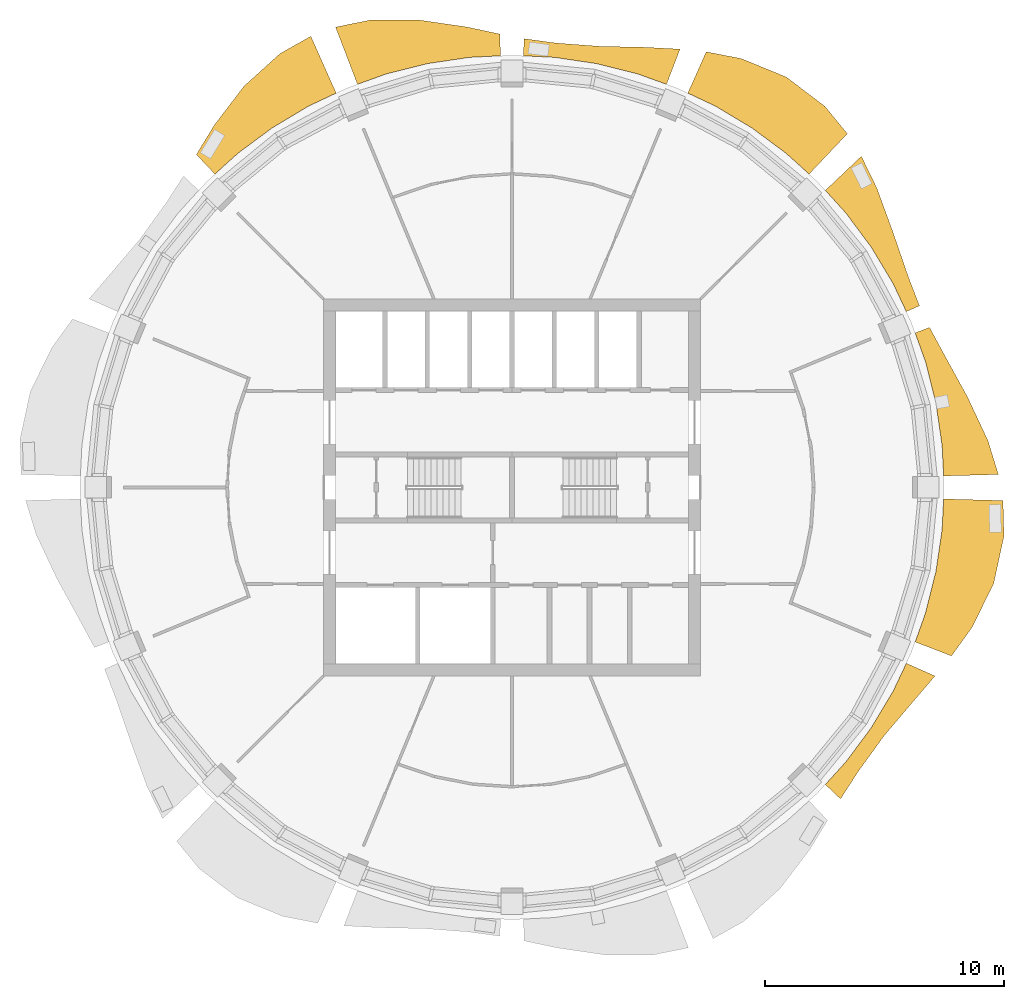
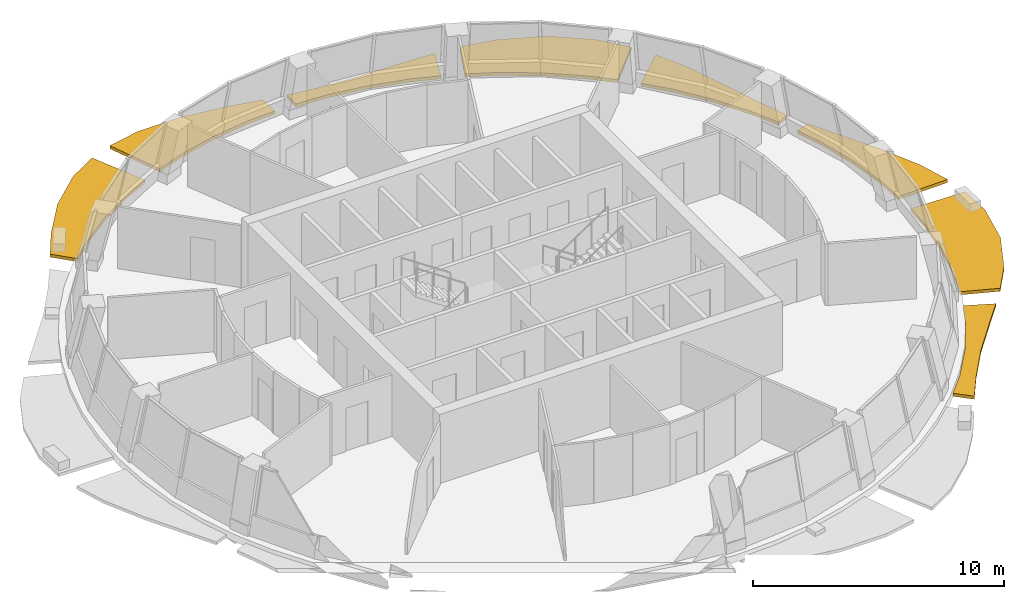
# One storey, part 10 of 11: 8 shading devices.
"""IFC4 building model written with IfcOpenShell, lengths in metres."""

from ifc_helpers import new_model, si_unit, direction, frame, origin, place, context, subcontext, project, spatial, polyline, outline, extrude, material, type_object, element, save


model = new_model("IFC4")

# Units and contexts
model_context = context("Model", 3, precision=1e-05, world=origin(), true_north=direction((0.0, 1.0)))
body_context = subcontext(model_context, "Body", "Model", "MODEL_VIEW")
ifc_project = project(units=[si_unit("LENGTHUNIT", "METRE"), si_unit("AREAUNIT", "SQUARE_METRE"), si_unit("VOLUMEUNIT", "CUBIC_METRE"), si_unit("PLANEANGLEUNIT", "RADIAN"), si_unit("MASSUNIT", "GRAM", prefix="KILO")], contexts=[model_context])

# Site, building, storey
site_placement = place(None, origin())
site = spatial("IfcSite", under=ifc_project, at=site_placement, CompositionType="ELEMENT")
building_placement = place(site_placement, origin())
building = spatial("IfcBuilding", under=site, at=building_placement, Name="Polderwave Tower", CompositionType="ELEMENT")
storey_placement = place(building_placement, frame((0.0, 0.0, 194.35009765625)))
storey = spatial("IfcBuildingStorey", under=building, at=storey_placement, Name="L52", CompositionType="ELEMENT", Elevation=194.35009765625)

# Shading devices
ifc_material = material(Name="Terracotta", Category="masonry")
shading_device_type = type_object("IfcShadingDeviceType", Name="Terracotta sunshade band", PredefinedType="USERDEFINED", material=ifc_material)
shading_device_1_placement = place(storey_placement, frame((0.0, 0.0, -0.35009765625)))
element("IfcShadingDevice", 1, at=shading_device_1_placement, inside=storey, type_object=shading_device_type, Name="Sunshade band L52 1", ObjectType="SUNSHADE", PredefinedType="USERDEFINED", context=body_context, shape_type="SweptSolid", body=[
    extrude(outline(polyline([(18.0263671875, 0.480712890625), (17.963134765625, 1.769287109375), (17.703125, 3.521484375), (17.272705078125, 5.239501953125), (16.838134765625, 6.454345703125), (17.4384765625, 6.684326171875), (18.086181640625, 5.486328125), (19.021484375, 3.78369140625), (19.878173828125, 1.957763671875), (20.31396484375, 0.54150390625), (18.0263671875, 0.480712890625)])), origin(), (0.0, 0.0, 1.0), 0.14990234375),
])
shading_device_2_placement = place(storey_placement, frame((0.0, 0.0, -0.35009765625)))
element("IfcShadingDevice", 2, at=shading_device_2_placement, inside=storey, type_object=shading_device_type, Name="Sunshade band L52 2", ObjectType="SUNSHADE", PredefinedType="USERDEFINED", context=body_context, shape_type="SweptSolid", body=[
    extrude(outline(polyline([(16.47021484375, 7.342529296875), (15.918701171875, 8.5087890625), (15.008056640625, 10.028076171875), (13.952880859375, 11.45068359375), (13.08642578125, 12.40673828125), (14.590087890625, 13.832275390625), (15.23779296875, 12.505615234375), (15.92041015625, 10.6376953125), (16.53759765625, 8.839599609375), (17.0185546875, 7.5869140625), (16.47021484375, 7.342529296875)])), origin(), (0.0, 0.0, 1.0), 0.14990234375),
])
shading_device_3_placement = place(storey_placement, frame((0.0, 0.0, -0.35009765625)))
element("IfcShadingDevice", 3, at=shading_device_3_placement, inside=storey, type_object=shading_device_type, Name="Sunshade band L52 3", ObjectType="SUNSHADE", PredefinedType="USERDEFINED", context=body_context, shape_type="SweptSolid", body=[
    extrude(outline(polyline([(12.40673828125, 13.08642578125), (11.45068359375, 13.952880859375), (10.028076171875, 15.008056640625), (8.5087890625, 15.918701171875), (7.342529296875, 16.47021484375), (8.11181640625, 18.196044921875), (9.57470703125, 17.9130859375), (11.4541015625, 17.14208984375), (13.06591796875, 15.9208984375), (14.006591796875, 14.77392578125), (12.40673828125, 13.08642578125)])), origin(), (0.0, 0.0, 1.0), 0.14990234375),
])
shading_device_4_placement = place(storey_placement, frame((0.0, 0.0, -0.35009765625)))
element("IfcShadingDevice", 4, at=shading_device_4_placement, inside=storey, type_object=shading_device_type, Name="Sunshade band L52 4", ObjectType="SUNSHADE", PredefinedType="USERDEFINED", context=body_context, shape_type="SweptSolid", body=[
    extrude(outline(polyline([(6.454345703125, 16.838134765625), (5.239501953125, 17.272705078125), (3.521484375, 17.703125), (1.769287109375, 17.963134765625), (0.480712890625, 18.0263671875), (0.499755859375, 18.74462890625), (1.828125, 18.56201171875), (3.664794921875, 18.424560546875), (5.576416015625, 18.38330078125), (7.017578125, 18.307861328125), (6.454345703125, 16.838134765625)])), origin(), (0.0, 0.0, 1.0), 0.14990234375),
])
shading_device_5_placement = place(storey_placement, frame((0.0, 0.0, -0.35009765625)))
element("IfcShadingDevice", 5, at=shading_device_5_placement, inside=storey, type_object=shading_device_type, Name="Sunshade band L52 5", ObjectType="SUNSHADE", PredefinedType="USERDEFINED", context=body_context, shape_type="SweptSolid", body=[
    extrude(outline(polyline([(-0.480712890625, 18.0263671875), (-1.769287109375, 17.963134765625), (-3.521484375, 17.703125), (-5.239501953125, 17.272705078125), (-6.454345703125, 16.838134765625), (-7.36962890625, 19.225830078125), (-5.921875, 19.521484375), (-3.883544921875, 19.5234375), (-1.894287109375, 19.232666015625), (-0.5048828125, 18.9375), (-0.480712890625, 18.0263671875)])), origin(), (0.0, 0.0, 1.0), 0.14990234375),
])
shading_device_6_placement = place(storey_placement, frame((0.0, 0.0, -0.35009765625)))
element("IfcShadingDevice", 6, at=shading_device_6_placement, inside=storey, type_object=shading_device_type, Name="Sunshade band L52 6", ObjectType="SUNSHADE", PredefinedType="USERDEFINED", context=body_context, shape_type="SweptSolid", body=[
    extrude(outline(polyline([(-7.342529296875, 16.47021484375), (-8.5087890625, 15.918701171875), (-10.028076171875, 15.008056640625), (-11.45068359375, 13.952880859375), (-12.40673828125, 13.08642578125), (-13.182861328125, 13.905029296875), (-12.42626953125, 15.141357421875), (-11.1962890625, 16.756103515625), (-9.686279296875, 18.121826171875), (-8.40087890625, 18.8447265625), (-7.342529296875, 16.47021484375)])), origin(), (0.0, 0.0, 1.0), 0.14990234375),
])
shading_device_7_placement = place(storey_placement, frame((0.0, 0.0, -0.35009765625)))
element("IfcShadingDevice", 7, at=shading_device_7_placement, inside=storey, type_object=shading_device_type, Name="Sunshade band L52 15", ObjectType="SUNSHADE", PredefinedType="USERDEFINED", context=body_context, shape_type="SweptSolid", body=[
    extrude(outline(polyline([(13.08642578125, -12.40673828125), (13.952880859375, -11.45068359375), (15.008056640625, -10.028076171875), (15.918701171875, -8.5087890625), (16.47021484375, -7.342529296875), (17.6669921875, -7.8759765625), (16.746337890625, -8.951171875), (15.53466796875, -10.3798828125), (14.45849609375, -11.86572265625), (13.72119140625, -13.008544921875), (13.08642578125, -12.40673828125)])), origin(), (0.0, 0.0, 1.0), 0.14990234375),
])
shading_device_8_placement = place(storey_placement, frame((0.0, 0.0, -0.35009765625)))
element("IfcShadingDevice", 8, at=shading_device_8_placement, inside=storey, type_object=shading_device_type, Name="Sunshade band L52 16", ObjectType="SUNSHADE", PredefinedType="USERDEFINED", context=body_context, shape_type="SweptSolid", body=[
    extrude(outline(polyline([(16.838134765625, -6.454345703125), (17.272705078125, -5.239501953125), (17.703125, -3.521484375), (17.963134765625, -1.769287109375), (18.0263671875, -0.480712890625), (20.507080078125, -0.546875), (20.548583984375, -2.02392578125), (20.120361328125, -4.002197265625), (19.224609375, -5.831787109375), (18.3564453125, -7.036376953125), (16.838134765625, -6.454345703125)])), origin(), (0.0, 0.0, 1.0), 0.14990234375),
])

save(model, "model.ifc")
